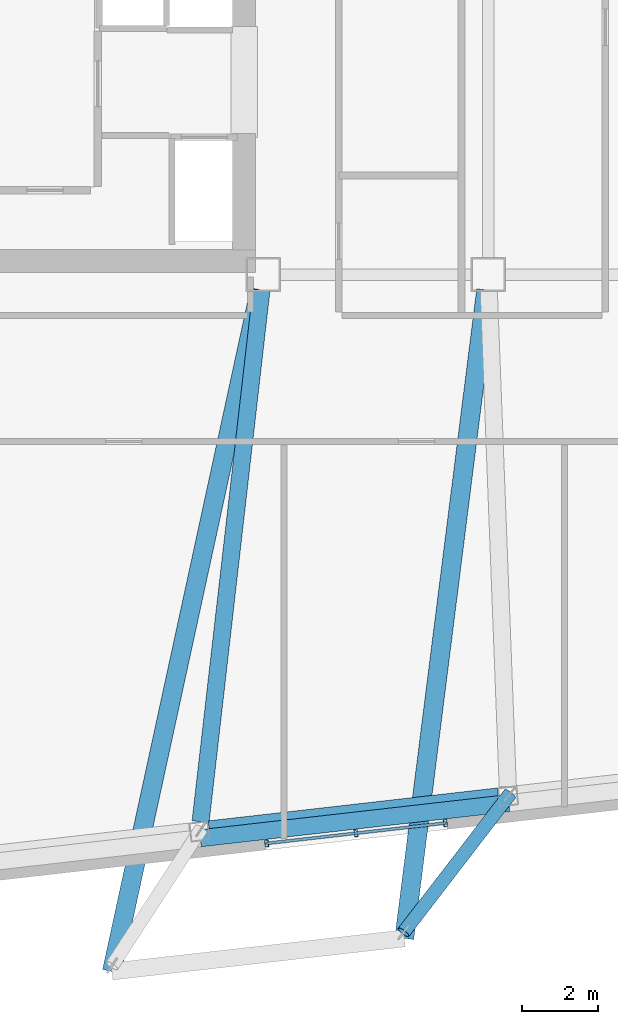
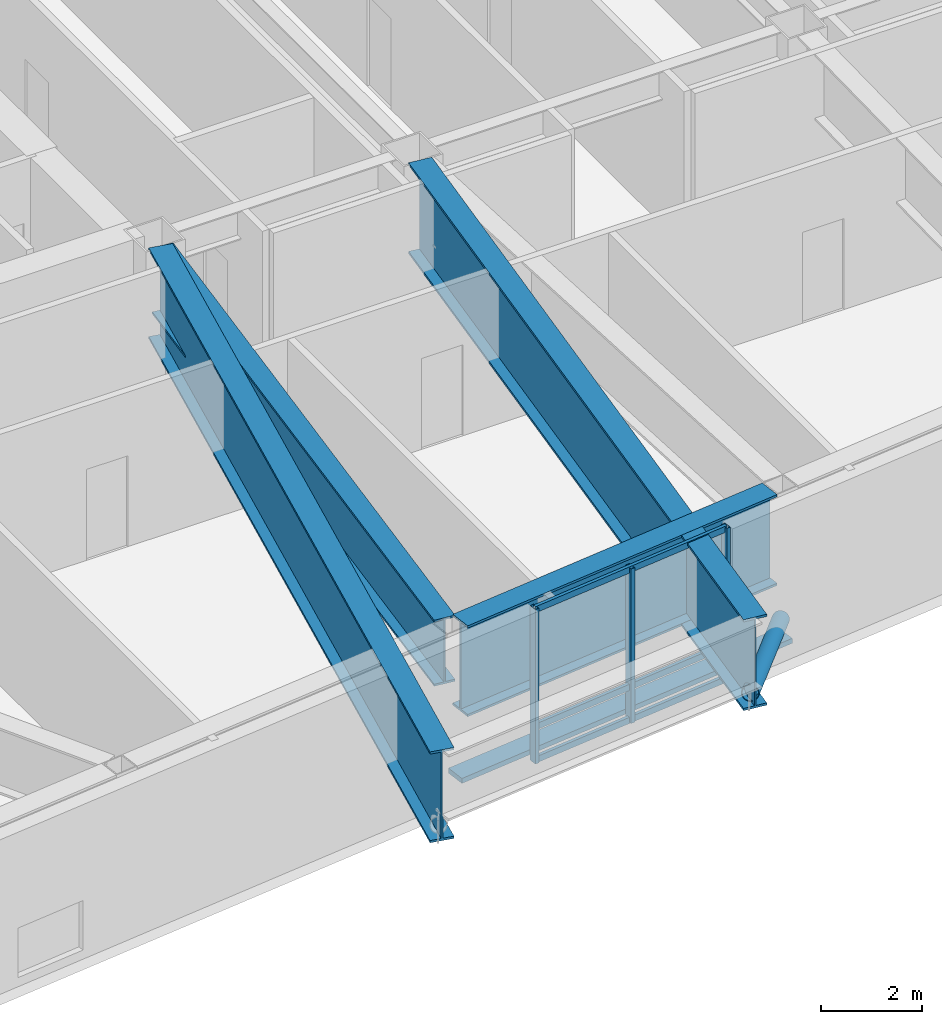
# One storey, part 4 of 20: 8 members, 4 beams, 1 element without a shape of its own.
"""IFC4 building model written with IfcOpenShell, lengths in metres."""

from ifc_helpers import new_model, si_unit, direction, frame, origin, origin_2d, place, context, subcontext, project, spatial, rectangle, hollow_rectangle, hollow_circle, i_section, extrude, material, layer, layer_set, material_profile, profile_set, type_object, element, aggregate, save


model = new_model("IFC4")

# Units and contexts
model_context = context("Model", 3, precision=1e-05, world=origin(), true_north=direction((0.0, 1.0)))
body_context = subcontext(model_context, "Body", "Model", "MODEL_VIEW")
ifc_project = project(units=[si_unit("LENGTHUNIT", "METRE"), si_unit("AREAUNIT", "SQUARE_METRE"), si_unit("VOLUMEUNIT", "CUBIC_METRE"), si_unit("PLANEANGLEUNIT", "RADIAN"), si_unit("MASSUNIT", "GRAM", prefix="KILO")], contexts=[model_context])

# Site, building, storey
site_placement = place(None, origin())
site = spatial("IfcSite", under=ifc_project, at=site_placement, CompositionType="ELEMENT")
building_placement = place(site_placement, origin())
building = spatial("IfcBuilding", under=site, at=building_placement, Name="Tavrogorsk Clinical Tower", CompositionType="ELEMENT")
storey_placement = place(building_placement, frame((0.0, 0.0, 214.199951171875)))
storey = spatial("IfcBuildingStorey", under=building, at=storey_placement, Name="L49", CompositionType="ELEMENT", Elevation=214.199951171875)

# Member
ifc_material_1 = material(Name="Anodised aluminium alloy AW-6063", Category="aluminium")
ifc_material_profile_1 = material_profile(ifc_material_1, rectangle(XDim=0.449951171875, YDim=0.1201171875, at=origin_2d()), Name="ALU-SUNSHADE-450x120")
ifc_profile_set_1 = profile_set([ifc_material_profile_1], Name="Anodised aluminium alloy AW-6063")
member_type_1 = type_object("IfcMemberType", Name="ChicagoSunshade_450x120", PredefinedType="USERDEFINED", material=ifc_profile_set_1)
member_1_placement = place(storey_placement, frame((-11.951904296875, -21.136474609375, 0.179931640625), z_axis=(0.9935729766, 0.113193375116, 0.0), x_axis=(-0.113193375116, 0.9935729766, 0.0)))
element("IfcMember", 1, at=member_1_placement, inside=storey, type_object=member_type_1, Name="L49 South Aluminium Sunshade S3", ObjectType="SUNSHADE", PredefinedType="USERDEFINED", context=body_context, shape_type="SweptSolid", body=[
    extrude(rectangle(XDim=0.449951171875, YDim=0.1201171875, at=origin_2d()), origin(), (0.0, 0.0, 1.0), 8.148681640625),
])

# Curtain wall, members
ifc_material_2 = material(Name="Anodised aluminium and triple IGU glazing", Category="aluminium")
ifc_layer = layer(ifc_material_2, 0.179931640625)
ifc_layer_set = layer_set([ifc_layer], Name="Anodised aluminium and triple IGU glazing")
curtain_wall_type = type_object("IfcCurtainWallType", Name="CW3_SouthSlot", PredefinedType="NOTDEFINED", material=ifc_layer_set)
curtain_wall_placement = place(storey_placement, origin())
curtain_wall = element("IfcCurtainWall", 2, at=curtain_wall_placement, inside=storey, type_object=curtain_wall_type, Name="L49 Curtain Wall CW-L49-S-SLOT-1", PredefinedType="NOTDEFINED")
ifc_material_3 = material(Name="Anodised aluminium alloy AW-6060", Category="aluminium")
ifc_material_profile_2 = material_profile(ifc_material_3, hollow_rectangle(XDim=0.090087890625, YDim=0.179931640625, WallThickness=0.00634765625, at=origin_2d()), Name="RHS-180x90x6.3")
ifc_profile_set_2 = profile_set([ifc_material_profile_2], Name="Anodised aluminium alloy AW-6060")
member_type_2 = type_object("IfcMemberType", Name="CwMullion_180x90", PredefinedType="MULLION", material=ifc_profile_set_2)
member_2_placement = place(storey_placement, frame((-10.21044921875, -21.270263671875, 0.0), z_axis=(0.0, 0.0, 1.0), x_axis=(0.993571855603, 0.11320321441, 0.0)))
member_2 = element("IfcMember", 3, at=member_2_placement, type_object=member_type_2, Name="CW-L49-S-SLOT-1 Mullion 1", PredefinedType="MULLION", context=body_context, shape_type="SweptSolid", body=[
    extrude(hollow_rectangle(XDim=0.090087890625, YDim=0.179931640625, WallThickness=0.00634765625, at=origin_2d()), origin(), (0.0, 0.0, 1.0), 3.739990234375),
])
member_3_placement = place(storey_placement, frame((-7.866455078125, -21.003173828125, 0.0), z_axis=(0.0, 0.0, 1.0), x_axis=(0.993571855603, 0.11320321441, 0.0)))
member_3 = element("IfcMember", 4, at=member_3_placement, type_object=member_type_2, Name="CW-L49-S-SLOT-1 Mullion 2", PredefinedType="MULLION", context=body_context, shape_type="SweptSolid", body=[
    extrude(hollow_rectangle(XDim=0.090087890625, YDim=0.179931640625, WallThickness=0.00634765625, at=origin_2d()), origin(), (0.0, 0.0, 1.0), 3.739990234375),
])
member_4_placement = place(storey_placement, frame((-5.522705078125, -20.736083984375, 0.0), z_axis=(0.0, 0.0, 1.0), x_axis=(0.993571855603, 0.11320321441, 0.0)))
member_4 = element("IfcMember", 5, at=member_4_placement, type_object=member_type_2, Name="CW-L49-S-SLOT-1 Mullion 3", PredefinedType="MULLION", context=body_context, shape_type="SweptSolid", body=[
    extrude(hollow_rectangle(XDim=0.090087890625, YDim=0.179931640625, WallThickness=0.00634765625, at=origin_2d()), origin(), (0.0, 0.0, 1.0), 3.739990234375),
])
ifc_material_4 = material(Name="Anodised aluminium alloy AW-6060", Category="aluminium")
ifc_material_profile_3 = material_profile(ifc_material_4, hollow_rectangle(XDim=0.074951171875, YDim=0.14990234375, WallThickness=0.0048828125, at=origin_2d()), Name="RHS-150x75x5")
ifc_profile_set_3 = profile_set([ifc_material_profile_3], Name="Anodised aluminium alloy AW-6060")
member_type_3 = type_object("IfcMemberType", Name="CwTransom_150x75", PredefinedType="USERDEFINED", material=ifc_profile_set_3)
member_5_placement = place(storey_placement, frame((-10.21044921875, -21.270263671875, 0.050048828125), z_axis=(0.993569979218, 0.113219682023, 0.0), x_axis=(-0.113219682023, 0.993569979218, 0.0)))
member_5 = element("IfcMember", 6, at=member_5_placement, type_object=member_type_3, Name="CW-L49-S-SLOT-1 Transom 1", ObjectType="TRANSOM", PredefinedType="USERDEFINED", context=body_context, shape_type="SweptSolid", body=[
    extrude(hollow_rectangle(XDim=0.074951171875, YDim=0.14990234375, WallThickness=0.0048828125, at=origin_2d()), origin(), (0.0, 0.0, 1.0), 4.718017578125),
])
member_6_placement = place(storey_placement, frame((-10.21044921875, -21.270263671875, 0.85009765625), z_axis=(0.993569979218, 0.113219682023, 0.0), x_axis=(-0.113219682023, 0.993569979218, 0.0)))
member_6 = element("IfcMember", 7, at=member_6_placement, type_object=member_type_3, Name="CW-L49-S-SLOT-1 Transom 2", ObjectType="TRANSOM", PredefinedType="USERDEFINED", context=body_context, shape_type="SweptSolid", body=[
    extrude(hollow_rectangle(XDim=0.074951171875, YDim=0.14990234375, WallThickness=0.0048828125, at=origin_2d()), origin(), (0.0, 0.0, 1.0), 4.718017578125),
])
member_7_placement = place(storey_placement, frame((-10.21044921875, -21.270263671875, 3.68994140625), z_axis=(0.993569979218, 0.113219682023, 0.0), x_axis=(-0.113219682023, 0.993569979218, 0.0)))
member_7 = element("IfcMember", 8, at=member_7_placement, type_object=member_type_3, Name="CW-L49-S-SLOT-1 Transom 3", ObjectType="TRANSOM", PredefinedType="USERDEFINED", context=body_context, shape_type="SweptSolid", body=[
    extrude(hollow_rectangle(XDim=0.074951171875, YDim=0.14990234375, WallThickness=0.0048828125, at=origin_2d()), origin(), (0.0, 0.0, 1.0), 4.718017578125),
])
aggregate(curtain_wall, [member_2, member_3, member_4, member_5, member_6, member_7])

# Member
ifc_material_5 = material(Name="Structural steel S390", Category="steel")
ifc_material_profile_4 = material_profile(ifc_material_5, hollow_circle(Radius=0.177734375, WallThickness=0.01416015625, at=origin_2d()), Name="CHS-355.6x14.2")
ifc_profile_set_4 = profile_set([ifc_material_profile_4], Name="Structural steel S390")
member_type_4 = type_object("IfcMemberType", Name="DayroomStrut_CHS355", PredefinedType="STRUT", material=ifc_profile_set_4)
member_8_placement = place(storey_placement, frame((-3.829345703125, -19.974609375, 0.4267578125), z_axis=(-0.583242145889, -0.758801860524, 0.289910909978), x_axis=(0.792851968911, -0.609414272391, 0.0)))
element("IfcMember", 9, at=member_8_placement, inside=storey, type_object=member_type_4, Name="L50 Day-Room Raking Strut DRB-07-R", PredefinedType="STRUT", context=body_context, shape_type="SweptSolid", body=[
    extrude(hollow_circle(Radius=0.177734375, WallThickness=0.01416015625, at=origin_2d()), origin(), (0.0, 0.0, 1.0), 4.782470703125),
])

# Beams
ifc_material_6 = material(Name="Structural steel S440", Category="steel")
ifc_material_profile_5 = material_profile(ifc_material_6, i_section(OverallWidth=0.449951171875, OverallDepth=1.60009765625, WebThickness=0.031982421875, FlangeThickness=0.050048828125, at=origin_2d()), Name="DK-1600x450x32x50")
ifc_profile_set_5 = profile_set([ifc_material_profile_5], Name="Structural steel S440")
beam_type_1 = type_object("IfcBeamType", Name="TransferGirder_DK1600", PredefinedType="USERDEFINED", material=ifc_profile_set_5)
beam_1_placement = place(storey_placement, frame((-10.3466796875, -6.75732421875, 2.93994140625), z_axis=(-0.113747243442, -0.99350972044, 0.0), x_axis=(0.99350972044, -0.113747243442, 0.0)))
element("IfcBeam", 10, at=beam_1_placement, inside=storey, type_object=beam_type_1, Name="L49 Radial Floor Beam S3", ObjectType="GIRDER", PredefinedType="USERDEFINED", context=body_context, shape_type="SweptSolid", body=[
    extrude(i_section(OverallWidth=0.449951171875, OverallDepth=1.60009765625, WebThickness=0.031982421875, FlangeThickness=0.050048828125, at=origin_2d()), origin(), (0.0, 0.0, 1.0), 14.034912109375),
])
ifc_material_7 = material(Name="Structural steel S440", Category="steel")
ifc_material_profile_6 = material_profile(ifc_material_7, i_section(OverallWidth=0.5, OverallDepth=2.199951171875, WebThickness=0.035888671875, FlangeThickness=0.054931640625, at=origin_2d()), Name="DK-2200x500x36x55")
ifc_profile_set_6 = profile_set([ifc_material_profile_6], Name="Structural steel S440")
beam_type_2 = type_object("IfcBeamType", Name="TransferGirder_DK2200", PredefinedType="USERDEFINED", material=ifc_profile_set_6)
beam_2_placement = place(storey_placement, frame((-11.716064453125, -20.928466796875, 2.64013671875), z_axis=(0.993572509708, 0.113197473259, 0.0), x_axis=(-0.113197473259, 0.993572509708, 0.0)))
element("IfcBeam", 11, at=beam_2_placement, inside=storey, type_object=beam_type_2, Name="L49 Perimeter Spandrel S3-S4", ObjectType="GIRDER", PredefinedType="USERDEFINED", context=body_context, shape_type="SweptSolid", body=[
    extrude(i_section(OverallWidth=0.5, OverallDepth=2.199951171875, WebThickness=0.035888671875, FlangeThickness=0.054931640625, at=origin_2d()), origin(), (0.0, 0.0, 1.0), 7.6328125),
])
beam_3_placement = place(storey_placement, frame((-10.386962890625, -6.750732421875, 2.64013671875), z_axis=(-0.212200281153, -0.977226197295, 0.0), x_axis=(0.977226197295, -0.212200281153, 0.0)))
element("IfcBeam", 12, at=beam_3_placement, inside=storey, type_object=beam_type_2, Name="L50 Day-Room Base Transfer Girder DRB-07-L", ObjectType="GIRDER", PredefinedType="USERDEFINED", context=body_context, shape_type="SweptSolid", body=[
    extrude(i_section(OverallWidth=0.5, OverallDepth=2.199951171875, WebThickness=0.035888671875, FlangeThickness=0.054931640625, at=origin_2d()), origin(), (0.0, 0.0, 1.0), 18.295654296875),
])
beam_4_placement = place(storey_placement, frame((-4.451416015625, -6.7568359375, 2.64013671875), z_axis=(-0.125335459901, -0.99211442006, 0.0), x_axis=(0.99211442006, -0.125335459901, 0.0)))
element("IfcBeam", 13, at=beam_4_placement, inside=storey, type_object=beam_type_2, Name="L50 Day-Room Base Transfer Girder DRB-07-R", ObjectType="GIRDER", PredefinedType="USERDEFINED", context=body_context, shape_type="SweptSolid", body=[
    extrude(i_section(OverallWidth=0.5, OverallDepth=2.199951171875, WebThickness=0.035888671875, FlangeThickness=0.054931640625, at=origin_2d()), origin(), (0.0, 0.0, 1.0), 17.1396484375),
])

save(model, "model.ifc")
